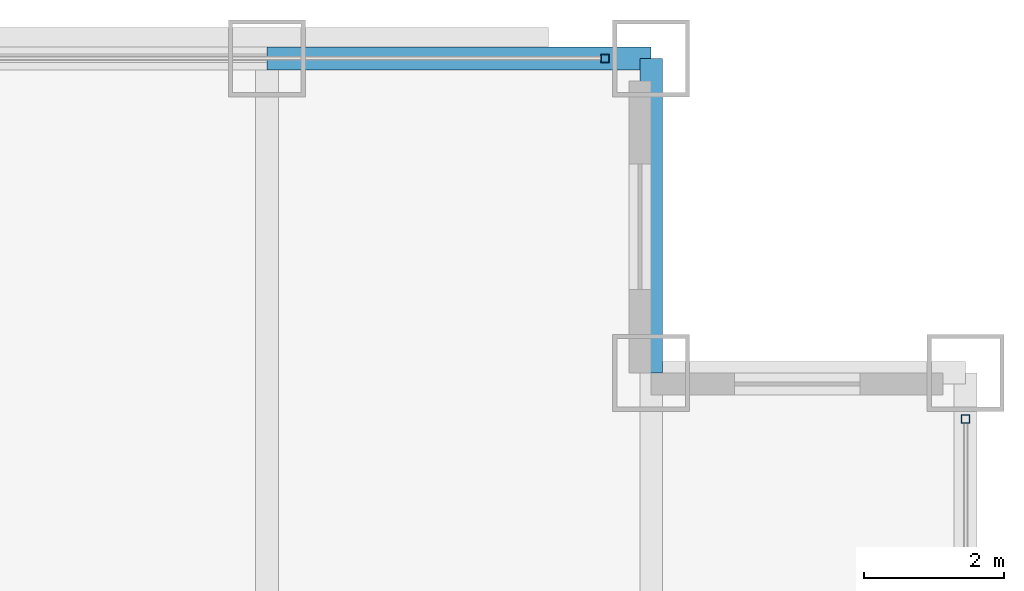
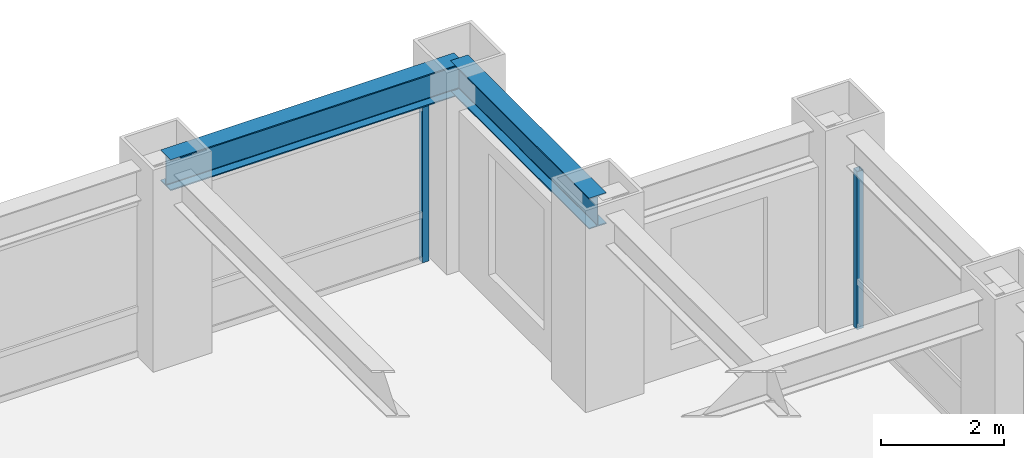
# One storey, part 18 of 28: 2 beams, 2 members, 2 elements without a shape of their own.
"""IFC4 building model written with IfcOpenShell, lengths in metres."""

import ifcopenshell
import ifcopenshell.guid

model = None  # the IFC model being written
_history = None  # IfcOwnerHistory: only IFC2X3 demands one
_inside = {}  # id of a spatial element -> (the spatial element, [elements in it])
_under = {}  # id of a project, library or spatial element -> (it, [spatial elements below it])
_declared = {}  # id of a project -> (the project, [libraries it declares])
_typed = {}  # id of a type object -> (the type object, [elements of that type])
_made_of = {}  # id of a material, layer set ... -> (it, [elements and type objects made of it])


def new_model(schema):
    """Start an empty IFC model of exactly this schema.

    Asked for "IFC4X3", IfcOpenShell would pick the latest addendum, in which some entities
    have other attributes; the version numbers below select the first issue.
    IFC2X3 requires an IfcOwnerHistory on every rooted entity: one is made here for all.
    """
    global model, _history
    if schema == "IFC4X3":
        model = ifcopenshell.file(schema_version=(4, 3, 0, 0))
    else:
        model = ifcopenshell.file(schema=schema)
    _inside.clear()
    _under.clear()
    _declared.clear()
    _typed.clear()
    _made_of.clear()
    _history = None
    if model.schema == "IFC2X3":
        org = make("IfcOrganization", Name="unknown")
        user = make(
            "IfcPersonAndOrganization",
            ThePerson=make("IfcPerson", FamilyName="unknown"),
            TheOrganization=org,
        )
        app = make(
            "IfcApplication",
            ApplicationDeveloper=org,
            Version="unknown",
            ApplicationFullName="unknown",
            ApplicationIdentifier="unknown",
        )
        _history = make(
            "IfcOwnerHistory",
            OwningUser=user,
            OwningApplication=app,
            ChangeAction="ADDED",
            CreationDate=0,
        )
    return model


def make(cls, **values):
    """One entity of the class cls with the attributes given. An attribute that is None is left unset."""
    return model.create_entity(
        cls, **{name: value for name, value in values.items() if value is not None}
    )


def rooted(cls, **values):
    """An entity with a GlobalId (a new one), such as an element, a storey or a relation."""
    return make(cls, GlobalId=ifcopenshell.guid.new(), OwnerHistory=_history, **values)


def si_unit(unit_type, name, prefix=None):
    """IfcSIUnit, for example si_unit("LENGTHUNIT", "METRE", prefix="MILLI")."""
    return make("IfcSIUnit", UnitType=unit_type, Prefix=prefix, Name=name)


def assignment(units):
    """IfcUnitAssignment: the units of a project."""
    return None if units is None else make("IfcUnitAssignment", Units=units)


def point(xyz):
    """IfcCartesianPoint."""
    return None if xyz is None else make("IfcCartesianPoint", Coordinates=xyz)


def direction(xyz):
    """IfcDirection."""
    return None if xyz is None else make("IfcDirection", DirectionRatios=xyz)


def frame(location, z_axis=None, x_axis=None):
    """IfcAxis2Placement3D, a coordinate frame: its origin and axes. An axis left out is left unset."""
    return make(
        "IfcAxis2Placement3D",
        Location=point(location),
        Axis=direction(z_axis),
        RefDirection=direction(x_axis),
    )


def frame_2d(location, x_axis=None):
    """IfcAxis2Placement2D, a coordinate frame in the plane: its origin and x axis."""
    return make(
        "IfcAxis2Placement2D", Location=point(location), RefDirection=direction(x_axis)
    )


def origin():
    """The frame at (0, 0, 0) with its axes left unset."""
    return frame((0.0, 0.0, 0.0))


def origin_2d():
    """The frame at (0, 0) in the plane with its x axis left unset."""
    return frame_2d((0.0, 0.0))


def place(relative_to, where):
    """IfcLocalPlacement: puts the frame where relative to a parent placement (None: the world)."""
    return make(
        "IfcLocalPlacement", PlacementRelTo=relative_to, RelativePlacement=where
    )


def context(
    kind, dimensions, precision=None, world=None, true_north=None, identifier=None
):
    """IfcGeometricRepresentationContext, for example the 3D "Model" context."""
    return make(
        "IfcGeometricRepresentationContext",
        ContextIdentifier=identifier,
        ContextType=kind,
        CoordinateSpaceDimension=dimensions,
        Precision=precision,
        WorldCoordinateSystem=world,
        TrueNorth=true_north,
    )


def subcontext(parent, identifier, kind, view, scale=None):
    """IfcGeometricRepresentationSubContext, for example "Body" below "Model"."""
    return make(
        "IfcGeometricRepresentationSubContext",
        ContextIdentifier=identifier,
        ContextType=kind,
        ParentContext=parent,
        TargetScale=scale,
        TargetView=view,
    )


def project(units=None, contexts=None):
    """IfcProject with its units and contexts."""
    return rooted(
        "IfcProject",
        Name="project",
        RepresentationContexts=contexts,
        UnitsInContext=assignment(units),
    )


def spatial(cls, under=None, at=None, **own):
    """A site, building, storey or space (cls), placed at a placement, below another one or the project."""
    s = rooted(cls, ObjectPlacement=at, **own)
    if under is not None:
        _under.setdefault(under.id(), (under, []))[1].append(s)
    return s


def profile(cls, at=None, kind="AREA", **sizes):
    """A parametric profile (cls). Its sizes go by their IFC names, for example OverallWidth=200.0."""
    return make(cls, ProfileType=kind, Position=at, **sizes)


def hollow_rectangle(**sizes):
    """IfcRectangleHollowProfileDef."""
    return profile("IfcRectangleHollowProfileDef", **sizes)


def i_section(**sizes):
    """IfcIShapeProfileDef."""
    return profile("IfcIShapeProfileDef", **sizes)


def extrude(swept, where, along, depth):
    """IfcExtrudedAreaSolid: the profile swept, set in the frame where, extruded along a direction by depth."""
    return make(
        "IfcExtrudedAreaSolid",
        SweptArea=swept,
        Position=where,
        ExtrudedDirection=direction(along),
        Depth=depth,
    )


def shape(context_of_items, identifier, shape_type, items):
    """IfcShapeRepresentation: the items that make up one representation, for example the "Body"."""
    return make(
        "IfcShapeRepresentation",
        ContextOfItems=context_of_items,
        RepresentationIdentifier=identifier,
        RepresentationType=shape_type,
        Items=items,
    )


def source(mapping_origin, context_of_items, identifier, shape_type, items):
    """IfcRepresentationMap: a shape defined once, which mapped items show again and again."""
    return make(
        "IfcRepresentationMap",
        MappingOrigin=mapping_origin,
        MappedRepresentation=shape(context_of_items, identifier, shape_type, items),
    )


def transform(
    local_origin,
    x_axis=None,
    y_axis=None,
    z_axis=None,
    scale=None,
    scale2=None,
    scale3=None,
    uniform=True,
):
    """IfcCartesianTransformationOperator3D, or its non-uniform kind. x_axis, y_axis, z_axis: its Axis1, 2, 3."""
    if uniform:
        return make(
            "IfcCartesianTransformationOperator3D",
            Axis1=direction(x_axis),
            Axis2=direction(y_axis),
            LocalOrigin=point(local_origin),
            Scale=scale,
            Axis3=direction(z_axis),
        )
    return make(
        "IfcCartesianTransformationOperator3DnonUniform",
        Axis1=direction(x_axis),
        Axis2=direction(y_axis),
        LocalOrigin=point(local_origin),
        Scale=scale,
        Axis3=direction(z_axis),
        Scale2=scale2,
        Scale3=scale3,
    )


def mapped(mapping_source, mapping_target):
    """IfcMappedItem: shows the shape of a source again, moved by a transform."""
    return make(
        "IfcMappedItem", MappingSource=mapping_source, MappingTarget=mapping_target
    )


def material(Name=None, Category=None):
    """IfcMaterial."""
    return make("IfcMaterial", Name=Name, Category=Category)


def material_profile(
    of_material, cross_section, Name=None, Category=None, Priority=None
):
    """IfcMaterialProfile: a cross section and its material."""
    return make(
        "IfcMaterialProfile",
        Name=Name,
        Material=of_material,
        Profile=cross_section,
        Priority=Priority,
        Category=Category,
    )


def profile_set(profiles, Name=None, composite=None):
    """IfcMaterialProfileSet."""
    return make(
        "IfcMaterialProfileSet",
        Name=Name,
        MaterialProfiles=profiles,
        CompositeProfile=composite,
    )


def made_of(thing, what):
    """Note that an element or type object is made of a material, layer set ...; save() writes the relation."""
    if what is not None:
        _made_of.setdefault(what.id(), (what, []))[1].append(thing)
    return thing


def type_object(cls, material=None, **own):
    """A type object (cls), such as IfcWallType, which elements share."""
    return made_of(rooted(cls, **own), material)


def element(
    cls,
    number,
    at=None,
    inside=None,
    cuts=None,
    type_object=None,
    material=None,
    context=None,
    identifier="Body",
    shape_type=None,
    held_by="IfcProductDefinitionShape",
    body=None,
    shapes=None,
    **own,
):
    """One element of the class cls, such as IfcWall. Its Tag is "e" and its number.

    at: its placement. inside: the storey or other place that contains it. cuts: it is an
    opening in that element (IfcRelVoidsElement). A single representation is given by context,
    identifier, shape_type and body (its items); several are given by shapes. held_by: the class
    of the entity that holds the representations. save() writes the other relations.
    """
    e = rooted(cls, Tag="e%d" % number, ObjectPlacement=at, **own)
    if body is not None:
        shapes = [shape(context, identifier, shape_type, body)]
    if shapes is not None:
        e.Representation = make(held_by, Representations=shapes)
    if inside is not None:
        _inside.setdefault(inside.id(), (inside, []))[1].append(e)
    if cuts is not None:
        rooted(
            "IfcRelVoidsElement", RelatingBuildingElement=cuts, RelatedOpeningElement=e
        )
    if type_object is not None:
        _typed.setdefault(type_object.id(), (type_object, []))[1].append(e)
    return made_of(e, material)


def aggregate(whole, parts):
    """IfcRelAggregates: a whole, such as a stair, and the parts it consists of."""
    return rooted("IfcRelAggregates", RelatingObject=whole, RelatedObjects=parts)


def save(model, path):
    """Write the relations noted so far, then the file.

    IfcRelAggregates (storeys below a building ...), IfcRelContainedInSpatialStructure (elements
    in a storey), IfcRelDefinesByType, IfcRelAssociatesMaterial and IfcRelDeclares: one each for
    every whole, place, type object, material and project.
    """
    for whole, parts in _under.values():
        aggregate(whole, parts)
    for where, things in _inside.values():
        rooted(
            "IfcRelContainedInSpatialStructure",
            RelatedElements=things,
            RelatingStructure=where,
        )
    for kind, things in _typed.values():
        rooted("IfcRelDefinesByType", RelatedObjects=things, RelatingType=kind)
    for what, things in _made_of.values():
        rooted("IfcRelAssociatesMaterial", RelatedObjects=things, RelatingMaterial=what)
    for by, libraries in _declared.values():
        rooted("IfcRelDeclares", RelatingContext=by, RelatedDefinitions=libraries)
    model.write(path)


model = new_model("IFC4")

# Units and contexts
model_context = context("Model", 3, precision=1e-05, world=origin(), true_north=direction((0.0, 1.0)))
body_context = subcontext(model_context, "Body", "Model", "MODEL_VIEW")
ifc_project = project(units=[si_unit("LENGTHUNIT", "METRE"), si_unit("AREAUNIT", "SQUARE_METRE"), si_unit("VOLUMEUNIT", "CUBIC_METRE"), si_unit("PLANEANGLEUNIT", "RADIAN"), si_unit("MASSUNIT", "GRAM", prefix="KILO")], contexts=[model_context])

# Site, building, storey
site_placement = place(None, origin())
site = spatial("IfcSite", under=ifc_project, at=site_placement, CompositionType="ELEMENT")
building_placement = place(site_placement, origin())
building = spatial("IfcBuilding", under=site, at=building_placement, Name="Khorayat Bourse Tower", CompositionType="ELEMENT")
storey_placement = place(building_placement, frame((0.0, 0.0, 183.10009765625)))
storey = spatial("IfcBuildingStorey", under=building, at=storey_placement, Name="L42", CompositionType="ELEMENT", Elevation=183.10009765625)

# Beams
ifc_material_1 = material(Name="Steel ASTM A992 Grade 50", Category="steel")
ifc_material_profile_1 = material_profile(ifc_material_1, i_section(OverallWidth=0.324951171875, OverallDepth=0.615966796875, WebThickness=0.013916015625, FlangeThickness=0.021484375, FilletRadius=0.01611328125, at=origin_2d()), Name="W610X174")
ifc_profile_set_1 = profile_set([ifc_material_profile_1], Name="Steel ASTM A992 Grade 50")
beam_type = type_object("IfcBeamType", Name="BM-SPAN-610", PredefinedType="SPANDREL", material=ifc_profile_set_1)
shared_shape_1 = source(origin(), body_context, "Body", "SweptSolid", [
    extrude(i_section(OverallWidth=0.324951171875, OverallDepth=0.615966796875, WebThickness=0.013916015625, FlangeThickness=0.021484375, FilletRadius=0.01611328125, at=origin_2d()), origin(), (0.0, 0.0, 1.0), 5.5),
])
beam_1_placement = place(storey_placement, frame((20.0, 30.0, 3.471923828125), z_axis=(1.0, 0.0, 0.0), x_axis=(0.0, 1.0, 0.0)))
element("IfcBeam", 1, at=beam_1_placement, inside=storey, type_object=beam_type, Name="L42 BM-SPAN-610 BM-L42-SPN-044", PredefinedType="SPANDREL", context=body_context, shape_type="MappedRepresentation", body=[
    mapped(shared_shape_1, transform((0.0, 0.0, 0.0), scale=1.0)),
])
shared_shape_2 = source(origin(), body_context, "Body", "SweptSolid", [
    extrude(i_section(OverallWidth=0.324951171875, OverallDepth=0.615966796875, WebThickness=0.013916015625, FlangeThickness=0.021484375, FilletRadius=0.01611328125, at=origin_2d()), origin(), (0.0, 0.0, 1.0), 4.5),
])
beam_2_placement = place(storey_placement, frame((25.5, 25.5, 3.471923828125), z_axis=(0.0, 1.0, 0.0), x_axis=(-1.0, 0.0, 0.0)))
element("IfcBeam", 2, at=beam_2_placement, inside=storey, type_object=beam_type, Name="L42 BM-SPAN-610 BM-L42-SPN-043", PredefinedType="SPANDREL", context=body_context, shape_type="MappedRepresentation", body=[
    mapped(shared_shape_2, transform((0.0, 0.0, 0.0), scale=1.0)),
])

# Curtain wall, member
ifc_material_2 = material(Name="Aluminium EN AW-6063 T6", Category="aluminium")
curtain_wall_type = type_object("IfcCurtainWallType", Name="CW-SYS-03", PredefinedType="NOTDEFINED", material=ifc_material_2)
curtain_wall_1_placement = place(storey_placement, origin())
curtain_wall_1 = element("IfcCurtainWall", 3, at=curtain_wall_1_placement, inside=storey, type_object=curtain_wall_type, Name="L42 Curtain Wall CW-L42-N1", PredefinedType="NOTDEFINED")
ifc_material_profile_2 = material_profile(ifc_material_2, hollow_rectangle(XDim=0.1201171875, YDim=0.1201171875, WallThickness=0.0048828125, at=origin_2d()), Name="ALU 120x120x5")
ifc_profile_set_2 = profile_set([ifc_material_profile_2], Name="Aluminium EN AW-6063 T6")
member_type = type_object("IfcMemberType", Name="CWM-VERT-120", PredefinedType="MULLION", material=ifc_profile_set_2)
shared_shape_3 = source(origin(), body_context, "Body", "SweptSolid", [
    extrude(hollow_rectangle(XDim=0.1201171875, YDim=0.1201171875, WallThickness=0.0048828125, at=origin_2d()), origin(), (0.0, 0.0, 1.0), 3.1298828125),
])
member_1_placement = place(storey_placement, frame((24.840087890625, 30.0, 0.0), z_axis=(0.0, 0.0, 1.0), x_axis=(0.0, 1.0, 0.0)))
member_1 = element("IfcMember", 4, at=member_1_placement, type_object=member_type, Name="CW-L42-N1 Vertical Mullion 3", PredefinedType="MULLION", context=body_context, shape_type="MappedRepresentation", body=[
    mapped(shared_shape_3, transform((0.0, 0.0, 0.0), scale=1.0)),
])
aggregate(curtain_wall_1, [member_1])

curtain_wall_2_placement = place(storey_placement, origin())
curtain_wall_2 = element("IfcCurtainWall", 5, at=curtain_wall_2_placement, inside=storey, type_object=curtain_wall_type, Name="L42 Curtain Wall CW-L42-E1", PredefinedType="NOTDEFINED")
member_2_placement = place(storey_placement, frame((30.0, 24.840087890625, 0.0), z_axis=(0.0, 0.0, 1.0), x_axis=(-1.0, 0.0, 0.0)))
member_2 = element("IfcMember", 6, at=member_2_placement, type_object=member_type, Name="CW-L42-E1 Vertical Mullion 3", PredefinedType="MULLION", context=body_context, shape_type="MappedRepresentation", body=[
    mapped(shared_shape_3, transform((0.0, 0.0, 0.0), scale=1.0)),
])
aggregate(curtain_wall_2, [member_2])

save(model, "model.ifc")
